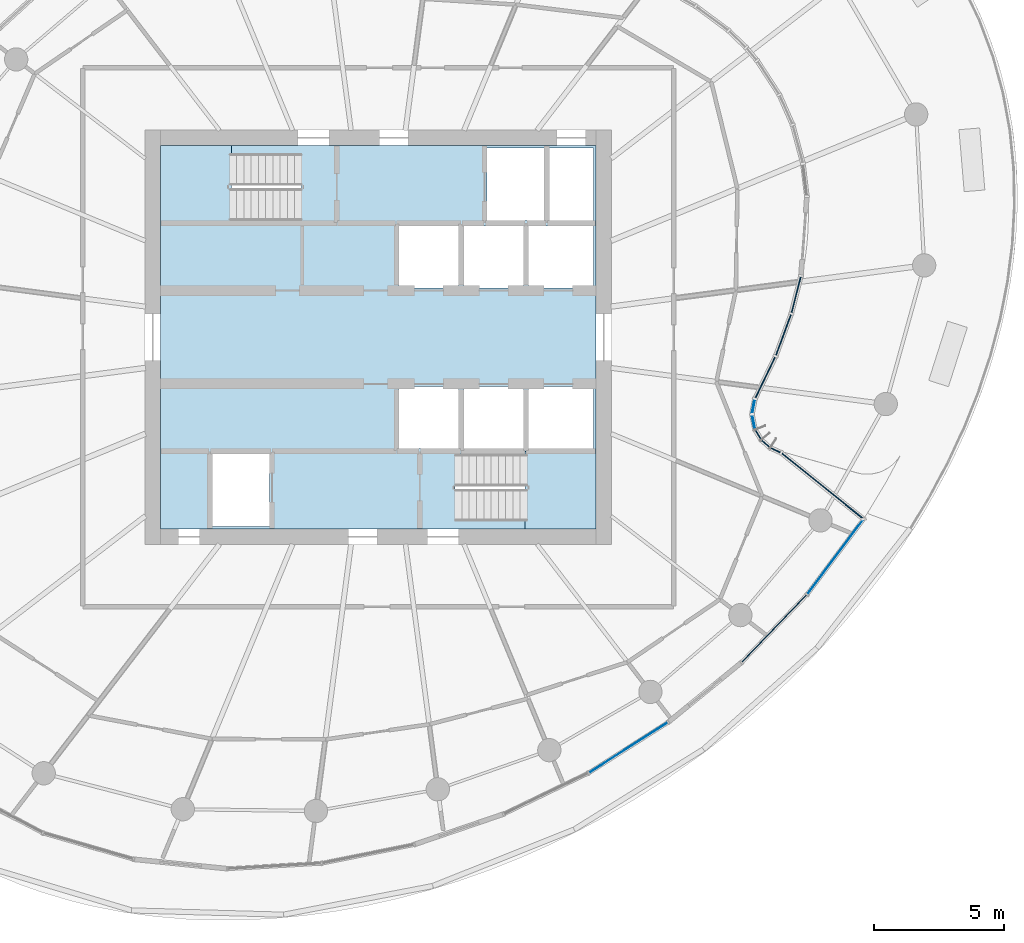
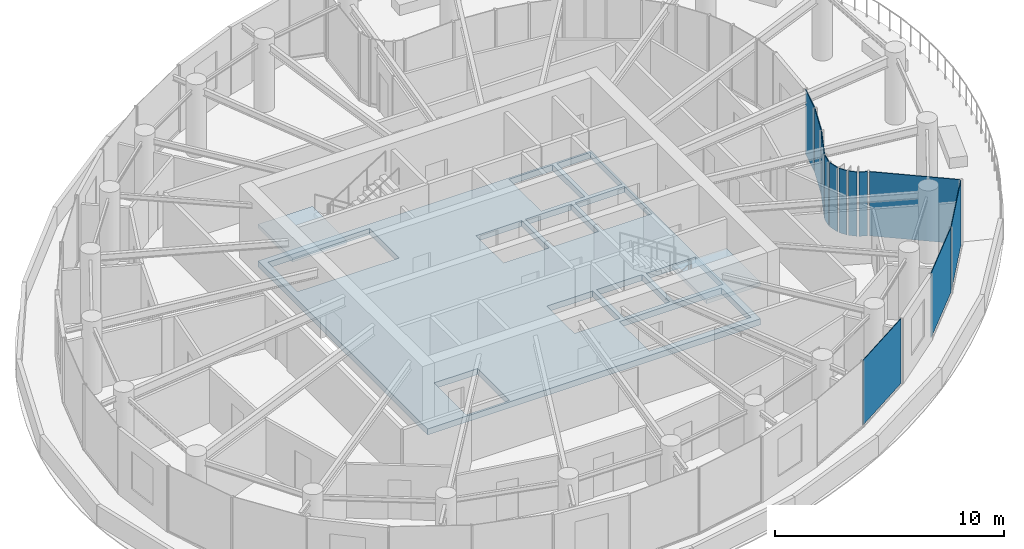
# One storey, part 8 of 19: 12 plates, 3 slabs, 6 elements without a shape of their own.
"""IFC4 building model written with IfcOpenShell, lengths in metres."""

from ifc_helpers import new_model, si_unit, direction, frame, origin, origin_2d, place, context, subcontext, project, spatial, line, indexed_curve, rectangle, outline, extrude, source, transform, mapped, material, layer, layer_set, type_object, element, aggregate, save


model = new_model("IFC4")

# Units and contexts
model_context = context("Model", 3, precision=1e-05, world=origin(), true_north=direction((0.0, 1.0)))
body_context = subcontext(model_context, "Body", "Model", "MODEL_VIEW")
ifc_project = project(units=[si_unit("LENGTHUNIT", "METRE"), si_unit("AREAUNIT", "SQUARE_METRE"), si_unit("VOLUMEUNIT", "CUBIC_METRE"), si_unit("PLANEANGLEUNIT", "RADIAN"), si_unit("MASSUNIT", "GRAM", prefix="KILO")], contexts=[model_context])

# Site, building, storey
site_placement = place(None, origin())
site = spatial("IfcSite", under=ifc_project, at=site_placement, CompositionType="ELEMENT")
building_placement = place(site_placement, origin())
building = spatial("IfcBuilding", under=site, at=building_placement, Name="Spindrift Exchange Tower", CompositionType="ELEMENT")
storey_placement = place(building_placement, frame((0.0, 0.0, 183.800048828125)))
storey = spatial("IfcBuildingStorey", under=building, at=storey_placement, Name="L44", CompositionType="ELEMENT", Elevation=183.800048828125)

# Slab
ifc_material_1 = material(Name="Concrete 50 MPa", Category="concrete")
ifc_layer_1 = layer(ifc_material_1, 0.320068359375)
ifc_layer_set_1 = layer_set([ifc_layer_1], Name="SL-CORE-FLOOR-320")
slab_type_1 = type_object("IfcSlabType", Name="SL-CORE-FLOOR-320", PredefinedType="FLOOR", material=ifc_layer_set_1)
slab_1_placement = place(storey_placement, frame((0.0, 0.0, -0.320068359375)))
element("IfcSlab", 1, at=slab_1_placement, inside=storey, type_object=slab_type_1, Name="L44 Core floor slab", PredefinedType="FLOOR", context=body_context, shape_type="SweptSolid", body=[
    extrude(outline(indexed_curve([(43.60009765625, 40.60009765625), (43.60009765625, 55.39990234375), (60.39990234375, 55.39990234375), (60.39990234375, 40.60009765625)], segments=[line(1, 2, 3, 4, 1)], self_intersect=False), holes=[indexed_curve([(45.60009765625, 43.5), (45.60009765625, 40.699951171875), (47.800048828125, 40.699951171875), (47.800048828125, 43.5)], segments=[line(1, 2, 3, 4, 1)], self_intersect=False), indexed_curve([(52.800048828125, 46.10009765625), (52.800048828125, 43.699951171875), (55.10009765625, 43.699951171875), (55.10009765625, 46.10009765625)], segments=[line(1, 2, 3, 4, 1)], self_intersect=False), indexed_curve([(55.300048828125, 46.10009765625), (55.300048828125, 43.699951171875), (57.60009765625, 43.699951171875), (57.60009765625, 46.10009765625)], segments=[line(1, 2, 3, 4, 1)], self_intersect=False), indexed_curve([(55.10009765625, 52.300048828125), (52.800048828125, 52.300048828125), (52.800048828125, 49.89990234375), (55.10009765625, 49.89990234375)], segments=[line(1, 2, 3, 4, 1)], self_intersect=False), indexed_curve([(57.60009765625, 52.300048828125), (55.300048828125, 52.300048828125), (55.300048828125, 49.89990234375), (57.60009765625, 49.89990234375)], segments=[line(1, 2, 3, 4, 1)], self_intersect=False), indexed_curve([(43.906005859375, 52.506103515625), (49.0439453125, 52.506103515625), (49.0439453125, 55.093994140625), (43.906005859375, 55.093994140625)], segments=[line(1, 2, 3, 4, 1)], self_intersect=False), indexed_curve([(60.093994140625, 40.906005859375), (60.093994140625, 43.493896484375), (54.9560546875, 43.493896484375), (54.9560546875, 40.906005859375)], segments=[line(1, 2, 3, 4, 1)], self_intersect=False), indexed_curve([(60.300048828125, 46.10009765625), (57.800048828125, 46.10009765625), (57.800048828125, 43.699951171875), (60.300048828125, 43.699951171875)], segments=[line(1, 2, 3, 4, 1)], self_intersect=False), indexed_curve([(57.800048828125, 52.300048828125), (57.800048828125, 49.89990234375), (60.300048828125, 49.89990234375), (60.300048828125, 52.300048828125)], segments=[line(1, 2, 3, 4, 1)], self_intersect=False), indexed_curve([(58.39990234375, 55.300048828125), (56.199951171875, 55.300048828125), (56.199951171875, 52.5), (58.39990234375, 52.5)], segments=[line(1, 2, 3, 4, 1)], self_intersect=False), indexed_curve([(60.300048828125, 55.300048828125), (58.60009765625, 55.300048828125), (58.60009765625, 52.5), (60.300048828125, 52.5)], segments=[line(1, 2, 3, 4, 1)], self_intersect=False)]), origin(), (0.0, 0.0, 1.0), 0.320068359375),
])

# Stair, slab
stair_type = type_object("IfcStairType", Name="ST-1250-R177", PredefinedType="HALF_TURN_STAIR", material=ifc_material_1)
stair_1_placement = place(storey_placement, origin())
stair_1 = element("IfcStair", 2, at=stair_1_placement, inside=storey, type_object=stair_type, Name="L44 Exit stair ST1", PredefinedType="HALF_TURN_STAIR")
ifc_layer_2 = layer(ifc_material_1, 0.199951171875)
ifc_layer_set_2 = layer_set([ifc_layer_2], Name="SL-LANDING")
slab_type_2 = type_object("IfcSlabType", Name="SL-LANDING", PredefinedType="LANDING", material=ifc_layer_set_2)
slab_2_placement = place(storey_placement, frame((0.0, 0.0, 1.75)))
slab_2 = element("IfcSlab", 3, at=slab_2_placement, type_object=slab_type_2, Name="ST1 landing 1", PredefinedType="LANDING", context=body_context, shape_type="SweptSolid", body=[
    extrude(outline(indexed_curve([(46.330078125, 52.39990234375), (43.60009765625, 52.39990234375), (43.60009765625, 55.39990234375), (46.330078125, 55.39990234375)], segments=[line(1, 2, 3, 4, 1)], self_intersect=False)), origin(), (0.0, 0.0, 1.0), 0.199951171875),
])
aggregate(stair_1, [slab_2])

stair_2_placement = place(storey_placement, origin())
stair_2 = element("IfcStair", 4, at=stair_2_placement, inside=storey, type_object=stair_type, Name="L44 Exit stair ST2", PredefinedType="HALF_TURN_STAIR")
slab_3_placement = place(storey_placement, frame((0.0, 0.0, 1.75)))
slab_3 = element("IfcSlab", 5, at=slab_3_placement, type_object=slab_type_2, Name="ST2 landing 1", PredefinedType="LANDING", context=body_context, shape_type="SweptSolid", body=[
    extrude(outline(indexed_curve([(57.669921875, 43.60009765625), (60.39990234375, 43.60009765625), (60.39990234375, 40.60009765625), (57.669921875, 40.60009765625)], segments=[line(1, 2, 3, 4, 1)], self_intersect=False)), origin(), (0.0, 0.0, 1.0), 0.199951171875),
])
aggregate(stair_2, [slab_3])

# Curtain wall, plates
ifc_material_2 = material(Name="Fritted laminated glass with bronze frame", Category="glass")
ifc_layer_3 = layer(ifc_material_2, 0.169921875)
ifc_layer_set_3 = layer_set([ifc_layer_3], Name="ZONE 4 BRONZE FRITTED WALL")
curtain_wall_type_1 = type_object("IfcCurtainWallType", Name="ZONE 4 BRONZE FRITTED WALL", PredefinedType="NOTDEFINED", material=ifc_layer_set_3)
curtain_wall_1_placement = place(storey_placement, origin())
curtain_wall_1 = element("IfcCurtainWall", 6, at=curtain_wall_1_placement, inside=storey, type_object=curtain_wall_type_1, Name="L44 Zone 4 Bronze Fritted Wall run 4", PredefinedType="NOTDEFINED")
ifc_material_3 = material(Name="Bronze tinted laminated glass, light frit", Category="glass")
ifc_layer_4 = layer(ifc_material_3, 0.030029296875)
ifc_layer_set_4 = layer_set([ifc_layer_4], Name="ZONE 4 BRONZE FRITTED WALL PANEL LIGHT FRIT 1200")
plate_type_1 = type_object("IfcPlateType", Name="ZONE 4 BRONZE FRITTED WALL PANEL LIGHT FRIT 1200", PredefinedType="CURTAIN_PANEL", material=ifc_layer_set_4)
shared_shape_1 = source(origin(), body_context, "Body", "SweptSolid", [
    extrude(rectangle(XDim=3.577880859375, YDim=0.030029296875, at=origin_2d()), origin(), (0.0, 0.0, 1.0), 3.455078125),
])
plate_1_placement = place(storey_placement, frame((61.65185546875, 32.169189453125, 0.125), z_axis=(0.0, 0.0, 1.0), x_axis=(0.843236679664, 0.537542465364, 0.0)))
plate_1 = element("IfcPlate", 7, at=plate_1_placement, type_object=plate_type_1, Name="L44 panel CW-4.22", PredefinedType="CURTAIN_PANEL", context=body_context, shape_type="MappedRepresentation", body=[
    mapped(shared_shape_1, transform((0.0, 0.0, 0.0), scale=1.0)),
])
ifc_layer_5 = layer(ifc_material_3, 0.030029296875)
ifc_layer_set_5 = layer_set([ifc_layer_5], Name="ZONE 4 BRONZE FRITTED WALL PANEL LIGHT FRIT 720")
plate_type_2 = type_object("IfcPlateType", Name="ZONE 4 BRONZE FRITTED WALL PANEL LIGHT FRIT 720", PredefinedType="CURTAIN_PANEL", material=ifc_layer_set_5)
shared_shape_2 = source(origin(), body_context, "Body", "SweptSolid", [
    extrude(rectangle(XDim=3.57763671875, YDim=0.030029296875, at=origin_2d()), origin(), (0.0, 0.0, 1.0), 3.455078125),
])
plate_2_placement = place(storey_placement, frame((67.2763671875, 36.760009765625, 0.125), z_axis=(0.0, 0.0, 1.0), x_axis=(0.694659625943, 0.71933858793, 0.0)))
plate_2 = element("IfcPlate", 8, at=plate_2_placement, type_object=plate_type_2, Name="L44 panel CW-4.24", PredefinedType="CURTAIN_PANEL", context=body_context, shape_type="MappedRepresentation", body=[
    mapped(shared_shape_2, transform((0.0, 0.0, 0.0), scale=1.0)),
])
aggregate(curtain_wall_1, [plate_1, plate_2])

# Curtain wall, plate
curtain_wall_2_placement = place(storey_placement, origin())
curtain_wall_2 = element("IfcCurtainWall", 9, at=curtain_wall_2_placement, inside=storey, type_object=curtain_wall_type_1, Name="L44 Zone 4 Bronze Fritted Wall run 5", PredefinedType="NOTDEFINED")
shared_shape_3 = source(origin(), body_context, "Body", "SweptSolid", [
    extrude(rectangle(XDim=3.577392578125, YDim=0.030029296875, at=origin_2d()), origin(), (0.0, 0.0, 1.0), 3.455078125),
])
plate_3_placement = place(storey_placement, frame((69.6337890625, 39.527587890625, 0.125), z_axis=(0.0, 0.0, 1.0), x_axis=(0.599666273737, 0.800250185968, 0.0)))
plate_3 = element("IfcPlate", 10, at=plate_3_placement, type_object=plate_type_1, Name="L44 panel CW-4.25", PredefinedType="CURTAIN_PANEL", context=body_context, shape_type="MappedRepresentation", body=[
    mapped(shared_shape_3, transform((0.0, 0.0, 0.0), scale=1.0)),
])
aggregate(curtain_wall_2, [plate_3])

# Curtain wall, plates
ifc_layer_6 = layer(ifc_material_2, 0.199951171875)
ifc_layer_set_6 = layer_set([ifc_layer_6], Name="SKY GARDEN BRONZE GLAZED WALL")
curtain_wall_type_2 = type_object("IfcCurtainWallType", Name="SKY GARDEN BRONZE GLAZED WALL", PredefinedType="NOTDEFINED", material=ifc_layer_set_6)
curtain_wall_3_placement = place(storey_placement, origin())
curtain_wall_3 = element("IfcCurtainWall", 11, at=curtain_wall_3_placement, inside=storey, type_object=curtain_wall_type_2, Name="L44 Sky Garden Bronze Glazed Wall run 6", PredefinedType="NOTDEFINED")
ifc_material_4 = material(Name="Bronze tinted laminated glass, clear vision", Category="glass")
ifc_layer_7 = layer(ifc_material_4, 0.0380859375)
ifc_layer_set_7 = layer_set([ifc_layer_7], Name="SKY GARDEN BRONZE GLAZED WALL PANEL CLEAR 1560")
plate_type_3 = type_object("IfcPlateType", Name="SKY GARDEN BRONZE GLAZED WALL PANEL CLEAR 1560", PredefinedType="CURTAIN_PANEL", material=ifc_layer_set_7)
shared_shape_4 = source(origin(), body_context, "Body", "SweptSolid", [
    extrude(rectangle(XDim=3.998779296875, YDim=0.0380859375, at=origin_2d()), origin(), (0.0, 0.0, 1.0), 3.429931640625),
])
plate_4_placement = place(storey_placement, frame((69.134521484375, 42.2646484375, 0.14990234375), z_axis=(0.0, 0.0, 1.0), x_axis=(-0.779258123619, 0.626703100977, 0.0)))
plate_4 = element("IfcPlate", 12, at=plate_4_placement, type_object=plate_type_3, Name="L44 panel CW-G.26", PredefinedType="CURTAIN_PANEL", context=body_context, shape_type="MappedRepresentation", body=[
    mapped(shared_shape_4, transform((0.0, 0.0, 0.0), scale=1.0)),
])
ifc_layer_8 = layer(ifc_material_4, 0.0380859375)
ifc_layer_set_8 = layer_set([ifc_layer_8], Name="SKY GARDEN BRONZE GLAZED WALL PANEL CLEAR 1200")
plate_type_4 = type_object("IfcPlateType", Name="SKY GARDEN BRONZE GLAZED WALL PANEL CLEAR 1200", PredefinedType="CURTAIN_PANEL", material=ifc_layer_set_8)
shared_shape_5 = source(origin(), body_context, "Body", "SweptSolid", [
    extrude(rectangle(XDim=0.377197265625, YDim=0.0380859375, at=origin_2d()), origin(), (0.0, 0.0, 1.0), 3.429931640625),
])
plate_5_placement = place(storey_placement, frame((67.3330078125, 43.6396484375, 0.14990234375), z_axis=(0.0, 0.0, 1.0), x_axis=(-0.91070673149, 0.41305356701, 0.0)))
plate_5 = element("IfcPlate", 13, at=plate_5_placement, type_object=plate_type_4, Name="L44 panel CW-G.27", PredefinedType="CURTAIN_PANEL", context=body_context, shape_type="MappedRepresentation", body=[
    mapped(shared_shape_5, transform((0.0, 0.0, 0.0), scale=1.0)),
])
ifc_layer_9 = layer(ifc_material_4, 0.0380859375)
ifc_layer_set_9 = layer_set([ifc_layer_9], Name="SKY GARDEN BRONZE GLAZED WALL PANEL CLEAR 1920")
plate_type_5 = type_object("IfcPlateType", Name="SKY GARDEN BRONZE GLAZED WALL PANEL CLEAR 1920", PredefinedType="CURTAIN_PANEL", material=ifc_layer_set_9)
shared_shape_6 = source(origin(), body_context, "Body", "SweptSolid", [
    extrude(rectangle(XDim=0.374755859375, YDim=0.0380859375, at=origin_2d()), origin(), (0.0, 0.0, 1.0), 3.429931640625),
])
plate_6_placement = place(storey_placement, frame((66.950439453125, 43.887451171875, 0.14990234375), z_axis=(0.0, 0.0, 1.0), x_axis=(-0.748967285576, 0.662606976372, 0.0)))
plate_6 = element("IfcPlate", 14, at=plate_6_placement, type_object=plate_type_5, Name="L44 panel CW-G.28", PredefinedType="CURTAIN_PANEL", context=body_context, shape_type="MappedRepresentation", body=[
    mapped(shared_shape_6, transform((0.0, 0.0, 0.0), scale=1.0)),
])
plate_7_placement = place(storey_placement, frame((66.658447265625, 44.23583984375, 0.14990234375), z_axis=(0.0, 0.0, 1.0), x_axis=(-0.521644111549, 0.853163185379, 0.0)))
plate_7 = element("IfcPlate", 15, at=plate_7_placement, type_object=plate_type_5, Name="L44 panel CW-G.29", PredefinedType="CURTAIN_PANEL", context=body_context, shape_type="MappedRepresentation", body=[
    mapped(shared_shape_6, transform((0.0, 0.0, 0.0), scale=1.0)),
])
shared_shape_7 = source(origin(), body_context, "Body", "SweptSolid", [
    extrude(rectangle(XDim=0.521240234375, YDim=0.0380859375, at=origin_2d()), origin(), (0.0, 0.0, 1.0), 3.429931640625),
])
plate_8_placement = place(storey_placement, frame((66.477294921875, 44.72900390625, 0.14990234375), z_axis=(0.0, 0.0, 1.0), x_axis=(-0.201884822416, 0.979409270161, 0.0)))
plate_8 = element("IfcPlate", 16, at=plate_8_placement, type_object=plate_type_3, Name="L44 panel CW-G.30", PredefinedType="CURTAIN_PANEL", context=body_context, shape_type="MappedRepresentation", body=[
    mapped(shared_shape_7, transform((0.0, 0.0, 0.0), scale=1.0)),
])
shared_shape_8 = source(origin(), body_context, "Body", "SweptSolid", [
    extrude(rectangle(XDim=0.5263671875, YDim=0.0380859375, at=origin_2d()), origin(), (0.0, 0.0, 1.0), 3.429931640625),
])
plate_9_placement = place(storey_placement, frame((66.474609375, 45.32568359375, 0.14990234375), z_axis=(0.0, 0.0, 1.0), x_axis=(0.191079683615, 0.98157452825, 0.0)))
plate_9 = element("IfcPlate", 17, at=plate_9_placement, type_object=plate_type_4, Name="L44 panel CW-G.31", PredefinedType="CURTAIN_PANEL", context=body_context, shape_type="MappedRepresentation", body=[
    mapped(shared_shape_8, transform((0.0, 0.0, 0.0), scale=1.0)),
])
aggregate(curtain_wall_3, [plate_4, plate_5, plate_6, plate_7, plate_8, plate_9])

curtain_wall_4_placement = place(storey_placement, origin())
curtain_wall_4 = element("IfcCurtainWall", 18, at=curtain_wall_4_placement, inside=storey, type_object=curtain_wall_type_2, Name="L44 Sky Garden Bronze Glazed Wall run 7", PredefinedType="NOTDEFINED")
shared_shape_9 = source(origin(), body_context, "Body", "SweptSolid", [
    extrude(rectangle(XDim=1.740966796875, YDim=0.0380859375, at=origin_2d()), origin(), (0.0, 0.0, 1.0), 3.429931640625),
])
plate_10_placement = place(storey_placement, frame((66.931640625, 46.447265625, 0.14990234375), z_axis=(0.0, 0.0, 1.0), x_axis=(0.436646349422, 0.899633239457, 0.0)))
plate_10 = element("IfcPlate", 19, at=plate_10_placement, type_object=plate_type_3, Name="L44 panel CW-G.32", PredefinedType="CURTAIN_PANEL", context=body_context, shape_type="MappedRepresentation", body=[
    mapped(shared_shape_9, transform((0.0, 0.0, 0.0), scale=1.0)),
])
shared_shape_10 = source(origin(), body_context, "Body", "SweptSolid", [
    extrude(rectangle(XDim=1.6650390625, YDim=0.0380859375, at=origin_2d()), origin(), (0.0, 0.0, 1.0), 3.429931640625),
])
plate_11_placement = place(storey_placement, frame((67.633544921875, 48.089111328125, 0.14990234375), z_axis=(0.0, 0.0, 1.0), x_axis=(0.346749035258, 0.937957944978, 0.0)))
plate_11 = element("IfcPlate", 20, at=plate_11_placement, type_object=plate_type_5, Name="L44 panel CW-G.33", PredefinedType="CURTAIN_PANEL", context=body_context, shape_type="MappedRepresentation", body=[
    mapped(shared_shape_10, transform((0.0, 0.0, 0.0), scale=1.0)),
])
shared_shape_11 = source(origin(), body_context, "Body", "SweptSolid", [
    extrude(rectangle(XDim=1.42041015625, YDim=0.0380859375, at=origin_2d()), origin(), (0.0, 0.0, 1.0), 3.429931640625),
])
plate_12_placement = place(storey_placement, frame((68.122314453125, 49.639404296875, 0.14990234375), z_axis=(0.0, 0.0, 1.0), x_axis=(0.246097468928, 0.969245085511, 0.0)))
plate_12 = element("IfcPlate", 21, at=plate_12_placement, type_object=plate_type_4, Name="L44 panel CW-G.34", PredefinedType="CURTAIN_PANEL", context=body_context, shape_type="MappedRepresentation", body=[
    mapped(shared_shape_11, transform((0.0, 0.0, 0.0), scale=1.0)),
])
aggregate(curtain_wall_4, [plate_10, plate_11, plate_12])

save(model, "model.ifc")
